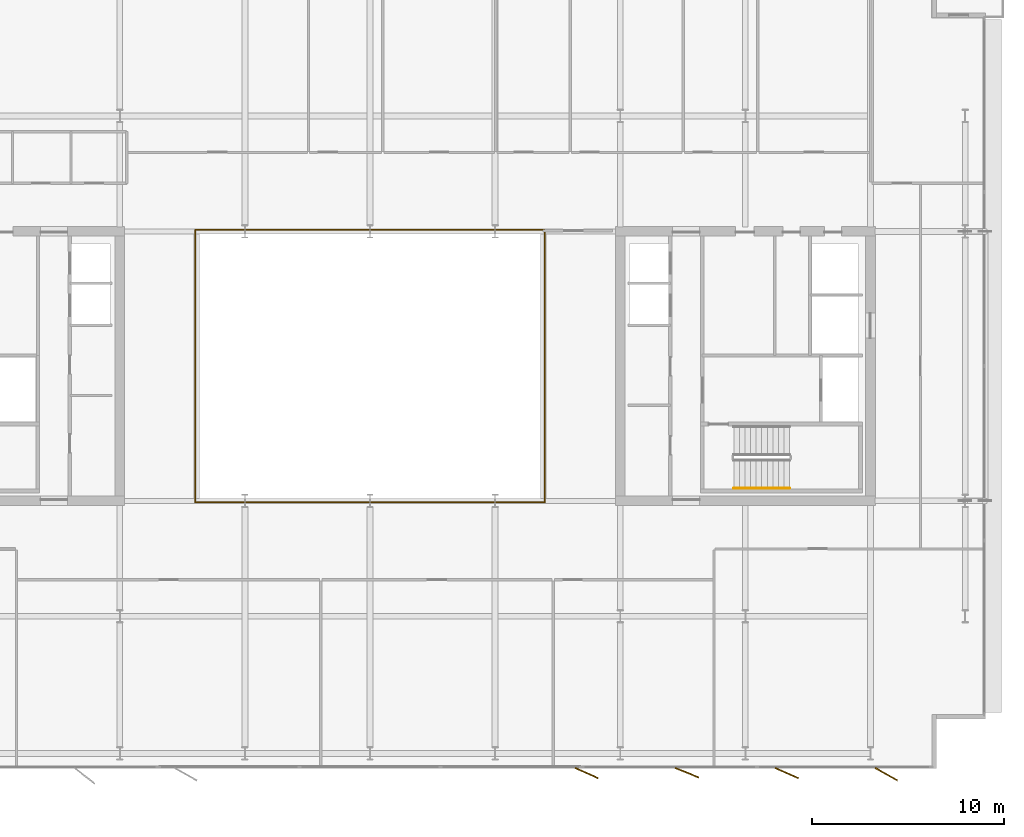
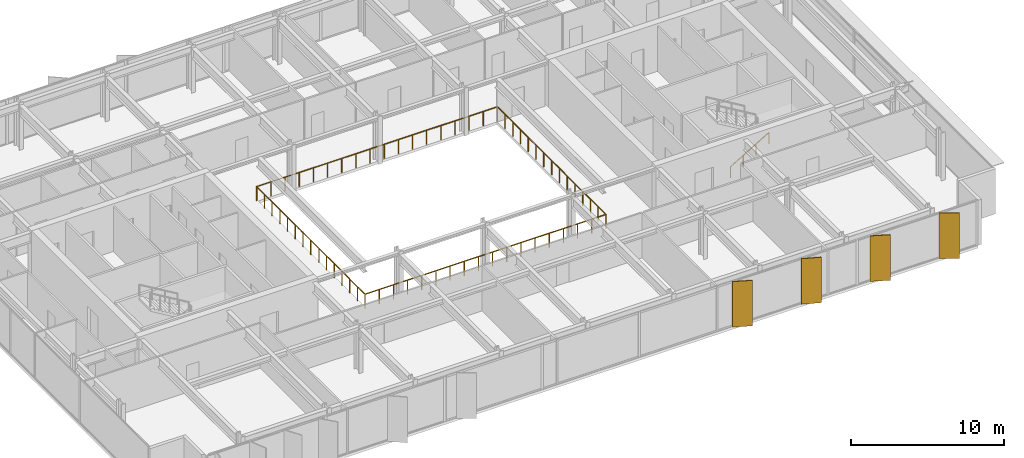
# One storey, part 17 of 19: 4 shading devices, 3 railings.
"""IFC4 building model written with IfcOpenShell, lengths in metres."""

from ifc_helpers import new_model, si_unit, direction, frame, origin, origin_2d, place, context, subcontext, project, spatial, rectangle, circle, extrude, material, layer, layer_set, type_object, element, save


model = new_model("IFC4")

# Units and contexts
model_context = context("Model", 3, precision=1e-05, world=origin(), true_north=direction((0.0, 1.0)))
body_context = subcontext(model_context, "Body", "Model", "MODEL_VIEW")
ifc_project = project(units=[si_unit("LENGTHUNIT", "METRE"), si_unit("AREAUNIT", "SQUARE_METRE"), si_unit("VOLUMEUNIT", "CUBIC_METRE"), si_unit("PLANEANGLEUNIT", "RADIAN"), si_unit("MASSUNIT", "GRAM", prefix="KILO")], contexts=[model_context])

# Site, building, storey
site_placement = place(None, origin())
site = spatial("IfcSite", under=ifc_project, at=site_placement, CompositionType="ELEMENT")
building_placement = place(site_placement, origin())
building = spatial("IfcBuilding", under=site, at=building_placement, Name="Putna Gate Headquarters", CompositionType="ELEMENT")
storey_placement = place(building_placement, frame((0.0, 0.0, 263.199951171875)))
storey = spatial("IfcBuildingStorey", under=building, at=storey_placement, Name="L66", CompositionType="ELEMENT", Elevation=263.199951171875)

# Railings
ifc_material_1 = material(Name="Anodised bronze and laminated glass atrium balustrade", Category="glass")
railing_type_1 = type_object("IfcRailingType", Name="RAIL-ATRIUM-GUARD-1150", PredefinedType="GUARDRAIL", material=ifc_material_1)
railing_1_placement = place(storey_placement, frame((29.919921875, 25.969970703125, 0.0)))
element("IfcRailing", 1, at=railing_1_placement, inside=storey, type_object=railing_type_1, Name="L66 Central Atrium Glazed Balustrade South", PredefinedType="GUARDRAIL", context=body_context, shape_type="SweptSolid", body=[
    extrude(circle(Radius=0.02392578125, at=origin_2d()), frame((0.0, 0.0, 1.1259765625), z_axis=(0.0, -1.0, 0.0), x_axis=(1.0, 0.0, 0.0)), (0.0, 0.0, 1.0), 7.050048828125),
    extrude(circle(Radius=0.02392578125, at=origin_2d()), frame((0.0, -7.050048828125, 1.1259765625), z_axis=(1.0, 0.0, 0.0), x_axis=(0.0, 1.0, 0.0)), (0.0, 0.0, 1.0), 18.16015625),
    extrude(circle(Radius=0.02392578125, at=origin_2d()), frame((18.16015625, -7.050048828125, 1.1259765625), z_axis=(0.0, 1.0, 0.0), x_axis=(-1.0, 0.0, 0.0)), (0.0, 0.0, 1.0), 7.050048828125),
    extrude(circle(Radius=0.02099609375, at=origin_2d()), origin(), (0.0, 0.0, 1.0), 1.101806640625),
    extrude(circle(Radius=0.02099609375, at=origin_2d()), frame((0.0, -1.007080078125, 0.0)), (0.0, 0.0, 1.0), 1.101806640625),
    extrude(circle(Radius=0.02099609375, at=origin_2d()), frame((0.0, -2.014404296875, 0.0)), (0.0, 0.0, 1.0), 1.101806640625),
    extrude(circle(Radius=0.02099609375, at=origin_2d()), frame((0.0, -3.021484375, 0.0)), (0.0, 0.0, 1.0), 1.101806640625),
    extrude(circle(Radius=0.02099609375, at=origin_2d()), frame((0.0, -4.028564453125, 0.0)), (0.0, 0.0, 1.0), 1.101806640625),
    extrude(circle(Radius=0.02099609375, at=origin_2d()), frame((0.0, -5.03564453125, 0.0)), (0.0, 0.0, 1.0), 1.101806640625),
    extrude(circle(Radius=0.02099609375, at=origin_2d()), frame((0.0, -6.04296875, 0.0)), (0.0, 0.0, 1.0), 1.101806640625),
    extrude(circle(Radius=0.02099609375, at=origin_2d()), frame((0.0, -7.050048828125, 0.0)), (0.0, 0.0, 1.0), 1.101806640625),
    extrude(circle(Radius=0.02099609375, at=origin_2d()), frame((1.068359375, -7.050048828125, 0.0)), (0.0, 0.0, 1.0), 1.101806640625),
    extrude(circle(Radius=0.02099609375, at=origin_2d()), frame((2.136474609375, -7.050048828125, 0.0)), (0.0, 0.0, 1.0), 1.101806640625),
    extrude(circle(Radius=0.02099609375, at=origin_2d()), frame((3.204833984375, -7.050048828125, 0.0)), (0.0, 0.0, 1.0), 1.101806640625),
    extrude(circle(Radius=0.02099609375, at=origin_2d()), frame((4.27294921875, -7.050048828125, 0.0)), (0.0, 0.0, 1.0), 1.101806640625),
    extrude(circle(Radius=0.02099609375, at=origin_2d()), frame((5.34130859375, -7.050048828125, 0.0)), (0.0, 0.0, 1.0), 1.101806640625),
    extrude(circle(Radius=0.02099609375, at=origin_2d()), frame((6.409423828125, -7.050048828125, 0.0)), (0.0, 0.0, 1.0), 1.101806640625),
    extrude(circle(Radius=0.02099609375, at=origin_2d()), frame((7.477783203125, -7.050048828125, 0.0)), (0.0, 0.0, 1.0), 1.101806640625),
    extrude(circle(Radius=0.02099609375, at=origin_2d()), frame((8.5458984375, -7.050048828125, 0.0)), (0.0, 0.0, 1.0), 1.101806640625),
    extrude(circle(Radius=0.02099609375, at=origin_2d()), frame((9.6142578125, -7.050048828125, 0.0)), (0.0, 0.0, 1.0), 1.101806640625),
    extrude(circle(Radius=0.02099609375, at=origin_2d()), frame((10.682373046875, -7.050048828125, 0.0)), (0.0, 0.0, 1.0), 1.101806640625),
    extrude(circle(Radius=0.02099609375, at=origin_2d()), frame((11.750732421875, -7.050048828125, 0.0)), (0.0, 0.0, 1.0), 1.101806640625),
    extrude(circle(Radius=0.02099609375, at=origin_2d()), frame((12.81884765625, -7.050048828125, 0.0)), (0.0, 0.0, 1.0), 1.101806640625),
    extrude(circle(Radius=0.02099609375, at=origin_2d()), frame((13.88720703125, -7.050048828125, 0.0)), (0.0, 0.0, 1.0), 1.101806640625),
    extrude(circle(Radius=0.02099609375, at=origin_2d()), frame((14.955322265625, -7.050048828125, 0.0)), (0.0, 0.0, 1.0), 1.101806640625),
    extrude(circle(Radius=0.02099609375, at=origin_2d()), frame((16.023681640625, -7.050048828125, 0.0)), (0.0, 0.0, 1.0), 1.101806640625),
    extrude(circle(Radius=0.02099609375, at=origin_2d()), frame((17.091796875, -7.050048828125, 0.0)), (0.0, 0.0, 1.0), 1.101806640625),
    extrude(circle(Radius=0.02099609375, at=origin_2d()), frame((18.16015625, -7.050048828125, 0.0)), (0.0, 0.0, 1.0), 1.101806640625),
    extrude(circle(Radius=0.02099609375, at=origin_2d()), frame((18.16015625, -6.04296875, 0.0)), (0.0, 0.0, 1.0), 1.101806640625),
    extrude(circle(Radius=0.02099609375, at=origin_2d()), frame((18.16015625, -5.03564453125, 0.0)), (0.0, 0.0, 1.0), 1.101806640625),
    extrude(circle(Radius=0.02099609375, at=origin_2d()), frame((18.16015625, -4.028564453125, 0.0)), (0.0, 0.0, 1.0), 1.101806640625),
    extrude(circle(Radius=0.02099609375, at=origin_2d()), frame((18.16015625, -3.021484375, 0.0)), (0.0, 0.0, 1.0), 1.101806640625),
    extrude(circle(Radius=0.02099609375, at=origin_2d()), frame((18.16015625, -2.014404296875, 0.0)), (0.0, 0.0, 1.0), 1.101806640625),
    extrude(circle(Radius=0.02099609375, at=origin_2d()), frame((18.16015625, -1.007080078125, 0.0)), (0.0, 0.0, 1.0), 1.101806640625),
    extrude(circle(Radius=0.02099609375, at=origin_2d()), frame((18.16015625, 0.0, 0.0)), (0.0, 0.0, 1.0), 1.101806640625),
])
railing_2_placement = place(storey_placement, frame((48.080078125, 26.030029296875, 0.0)))
element("IfcRailing", 2, at=railing_2_placement, inside=storey, type_object=railing_type_1, Name="L66 Central Atrium Glazed Balustrade North", PredefinedType="GUARDRAIL", context=body_context, shape_type="SweptSolid", body=[
    extrude(circle(Radius=0.02392578125, at=origin_2d()), frame((0.0, 0.0, 1.1259765625), z_axis=(0.0, 1.0, 0.0), x_axis=(-1.0, 0.0, 0.0)), (0.0, 0.0, 1.0), 7.050048828125),
    extrude(circle(Radius=0.02392578125, at=origin_2d()), frame((0.0, 7.050048828125, 1.1259765625), z_axis=(-1.0, 0.0, 0.0), x_axis=(0.0, -1.0, 0.0)), (0.0, 0.0, 1.0), 18.16015625),
    extrude(circle(Radius=0.02392578125, at=origin_2d()), frame((-18.16015625, 7.050048828125, 1.1259765625), z_axis=(0.0, -1.0, 0.0), x_axis=(1.0, 0.0, 0.0)), (0.0, 0.0, 1.0), 7.050048828125),
    extrude(circle(Radius=0.02099609375, at=origin_2d()), origin(), (0.0, 0.0, 1.0), 1.101806640625),
    extrude(circle(Radius=0.02099609375, at=origin_2d()), frame((0.0, 1.007080078125, 0.0)), (0.0, 0.0, 1.0), 1.101806640625),
    extrude(circle(Radius=0.02099609375, at=origin_2d()), frame((0.0, 2.014404296875, 0.0)), (0.0, 0.0, 1.0), 1.101806640625),
    extrude(circle(Radius=0.02099609375, at=origin_2d()), frame((0.0, 3.021484375, 0.0)), (0.0, 0.0, 1.0), 1.101806640625),
    extrude(circle(Radius=0.02099609375, at=origin_2d()), frame((0.0, 4.028564453125, 0.0)), (0.0, 0.0, 1.0), 1.101806640625),
    extrude(circle(Radius=0.02099609375, at=origin_2d()), frame((0.0, 5.03564453125, 0.0)), (0.0, 0.0, 1.0), 1.101806640625),
    extrude(circle(Radius=0.02099609375, at=origin_2d()), frame((0.0, 6.04296875, 0.0)), (0.0, 0.0, 1.0), 1.101806640625),
    extrude(circle(Radius=0.02099609375, at=origin_2d()), frame((0.0, 7.050048828125, 0.0)), (0.0, 0.0, 1.0), 1.101806640625),
    extrude(circle(Radius=0.02099609375, at=origin_2d()), frame((-1.068359375, 7.050048828125, 0.0)), (0.0, 0.0, 1.0), 1.101806640625),
    extrude(circle(Radius=0.02099609375, at=origin_2d()), frame((-2.136474609375, 7.050048828125, 0.0)), (0.0, 0.0, 1.0), 1.101806640625),
    extrude(circle(Radius=0.02099609375, at=origin_2d()), frame((-3.204833984375, 7.050048828125, 0.0)), (0.0, 0.0, 1.0), 1.101806640625),
    extrude(circle(Radius=0.02099609375, at=origin_2d()), frame((-4.27294921875, 7.050048828125, 0.0)), (0.0, 0.0, 1.0), 1.101806640625),
    extrude(circle(Radius=0.02099609375, at=origin_2d()), frame((-5.34130859375, 7.050048828125, 0.0)), (0.0, 0.0, 1.0), 1.101806640625),
    extrude(circle(Radius=0.02099609375, at=origin_2d()), frame((-6.409423828125, 7.050048828125, 0.0)), (0.0, 0.0, 1.0), 1.101806640625),
    extrude(circle(Radius=0.02099609375, at=origin_2d()), frame((-7.477783203125, 7.050048828125, 0.0)), (0.0, 0.0, 1.0), 1.101806640625),
    extrude(circle(Radius=0.02099609375, at=origin_2d()), frame((-8.5458984375, 7.050048828125, 0.0)), (0.0, 0.0, 1.0), 1.101806640625),
    extrude(circle(Radius=0.02099609375, at=origin_2d()), frame((-9.6142578125, 7.050048828125, 0.0)), (0.0, 0.0, 1.0), 1.101806640625),
    extrude(circle(Radius=0.02099609375, at=origin_2d()), frame((-10.682373046875, 7.050048828125, 0.0)), (0.0, 0.0, 1.0), 1.101806640625),
    extrude(circle(Radius=0.02099609375, at=origin_2d()), frame((-11.750732421875, 7.050048828125, 0.0)), (0.0, 0.0, 1.0), 1.101806640625),
    extrude(circle(Radius=0.02099609375, at=origin_2d()), frame((-12.81884765625, 7.050048828125, 0.0)), (0.0, 0.0, 1.0), 1.101806640625),
    extrude(circle(Radius=0.02099609375, at=origin_2d()), frame((-13.88720703125, 7.050048828125, 0.0)), (0.0, 0.0, 1.0), 1.101806640625),
    extrude(circle(Radius=0.02099609375, at=origin_2d()), frame((-14.955322265625, 7.050048828125, 0.0)), (0.0, 0.0, 1.0), 1.101806640625),
    extrude(circle(Radius=0.02099609375, at=origin_2d()), frame((-16.023681640625, 7.050048828125, 0.0)), (0.0, 0.0, 1.0), 1.101806640625),
    extrude(circle(Radius=0.02099609375, at=origin_2d()), frame((-17.091796875, 7.050048828125, 0.0)), (0.0, 0.0, 1.0), 1.101806640625),
    extrude(circle(Radius=0.02099609375, at=origin_2d()), frame((-18.16015625, 7.050048828125, 0.0)), (0.0, 0.0, 1.0), 1.101806640625),
    extrude(circle(Radius=0.02099609375, at=origin_2d()), frame((-18.16015625, 6.04296875, 0.0)), (0.0, 0.0, 1.0), 1.101806640625),
    extrude(circle(Radius=0.02099609375, at=origin_2d()), frame((-18.16015625, 5.03564453125, 0.0)), (0.0, 0.0, 1.0), 1.101806640625),
    extrude(circle(Radius=0.02099609375, at=origin_2d()), frame((-18.16015625, 4.028564453125, 0.0)), (0.0, 0.0, 1.0), 1.101806640625),
    extrude(circle(Radius=0.02099609375, at=origin_2d()), frame((-18.16015625, 3.021484375, 0.0)), (0.0, 0.0, 1.0), 1.101806640625),
    extrude(circle(Radius=0.02099609375, at=origin_2d()), frame((-18.16015625, 2.014404296875, 0.0)), (0.0, 0.0, 1.0), 1.101806640625),
    extrude(circle(Radius=0.02099609375, at=origin_2d()), frame((-18.16015625, 1.007080078125, 0.0)), (0.0, 0.0, 1.0), 1.101806640625),
    extrude(circle(Radius=0.02099609375, at=origin_2d()), frame((-18.16015625, 0.0, 0.0)), (0.0, 0.0, 1.0), 1.101806640625),
])
ifc_material_2 = material(Name="Brushed stainless steel handrail", Category="steel")
railing_type_2 = type_object("IfcRailingType", Name="RAIL-STAIR-HAND-900", PredefinedType="HANDRAIL", material=ifc_material_2)
railing_3_placement = place(storey_placement, frame((57.89990234375, 19.64990234375, 0.1728515625)))
element("IfcRailing", 3, at=railing_3_placement, inside=storey, type_object=railing_type_2, Name="L66 ST2 stair handrail 1", PredefinedType="HANDRAIL", context=body_context, shape_type="SweptSolid", body=[
    extrude(circle(Radius=0.02392578125, at=origin_2d()), frame((0.0, 0.0, 0.8759765625), z_axis=(0.859160404282, 0.0, 0.51170636083), x_axis=(0.0, 1.0, 0.0)), (0.0, 0.0, 1.0), 3.37548828125),
    extrude(circle(Radius=0.02099609375, at=origin_2d()), origin(), (0.0, 0.0, 1.0), 0.851806640625),
    extrude(circle(Radius=0.02099609375, at=origin_2d()), frame((0.966796875, 0.0, 0.57568359375)), (0.0, 0.0, 1.0), 0.851806640625),
    extrude(circle(Radius=0.02099609375, at=origin_2d()), frame((1.933349609375, 0.0, 1.151611328125)), (0.0, 0.0, 1.0), 0.851806640625),
    extrude(circle(Radius=0.02099609375, at=origin_2d()), frame((2.900146484375, 0.0, 1.727294921875)), (0.0, 0.0, 1.0), 0.851806640625),
])

# Shading devices
ifc_material_3 = material(Name="Anodised architectural bronze aluminium fin", Category="aluminium")
ifc_layer = layer(ifc_material_3, 0.06494140625)
ifc_layer_set = layer_set([ifc_layer], Name="Anodised architectural bronze aluminium fin")
shading_device_type = type_object("IfcShadingDeviceType", Name="SHADE-BRONZE-FIN-1320", PredefinedType="USERDEFINED", material=ifc_layer_set)
for number, where, z_axis, x_axis, name in (
    (4, (50.2529296875, 4.856689453125, -0.02001953125), (0.0, 0.0, 1.0), (0.913687379856, -0.40641773078, 0.0), "L66 Bronze Vertical Shading Fin S7"),
    (5, (55.4619140625, 4.877685546875, -0.02001953125), (0.0, 0.0, 1.0), (0.927183854567, -0.374606593416, 0.0), "L66 Bronze Vertical Shading Fin S8"),
    (6, (60.653076171875, 4.856689453125, -0.02001953125), (0.0, 0.0, 1.0), (0.913687379856, -0.40641773078, 0.0), "L66 Bronze Vertical Shading Fin S9"),
    (7, (65.82373046875, 4.798828125, -0.02001953125), (0.0, 0.0, 1.0), (0.869322458298, -0.494245347472, 0.0), "L66 Bronze Vertical Shading Fin S10"),
):
    element("IfcShadingDevice", number, at=place(storey_placement, frame(where, z_axis=z_axis, x_axis=x_axis)), inside=storey, type_object=shading_device_type, Name=name, ObjectType="FIN", PredefinedType="USERDEFINED", context=body_context, shape_type="SweptSolid", body=[
        extrude(rectangle(XDim=1.320068359375, YDim=0.06494140625, at=origin_2d()), origin(), (0.0, 0.0, 1.0), 3.6279296875),
    ])

save(model, "model.ifc")
